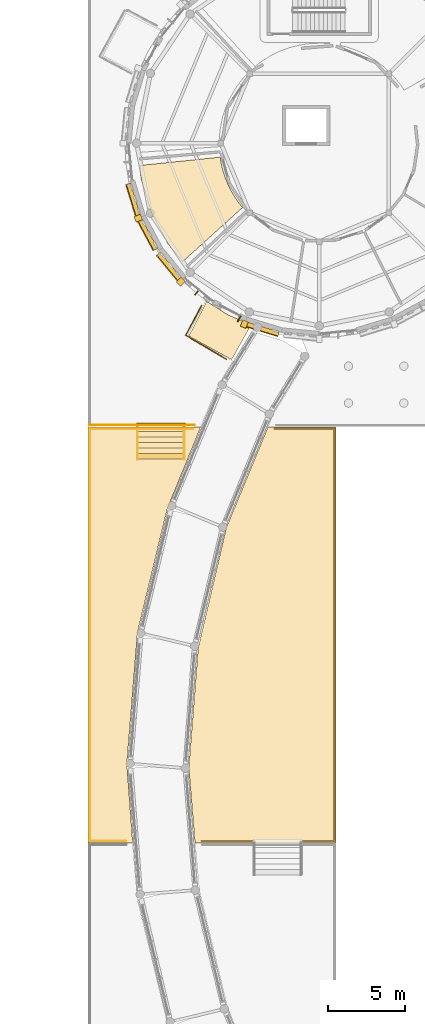
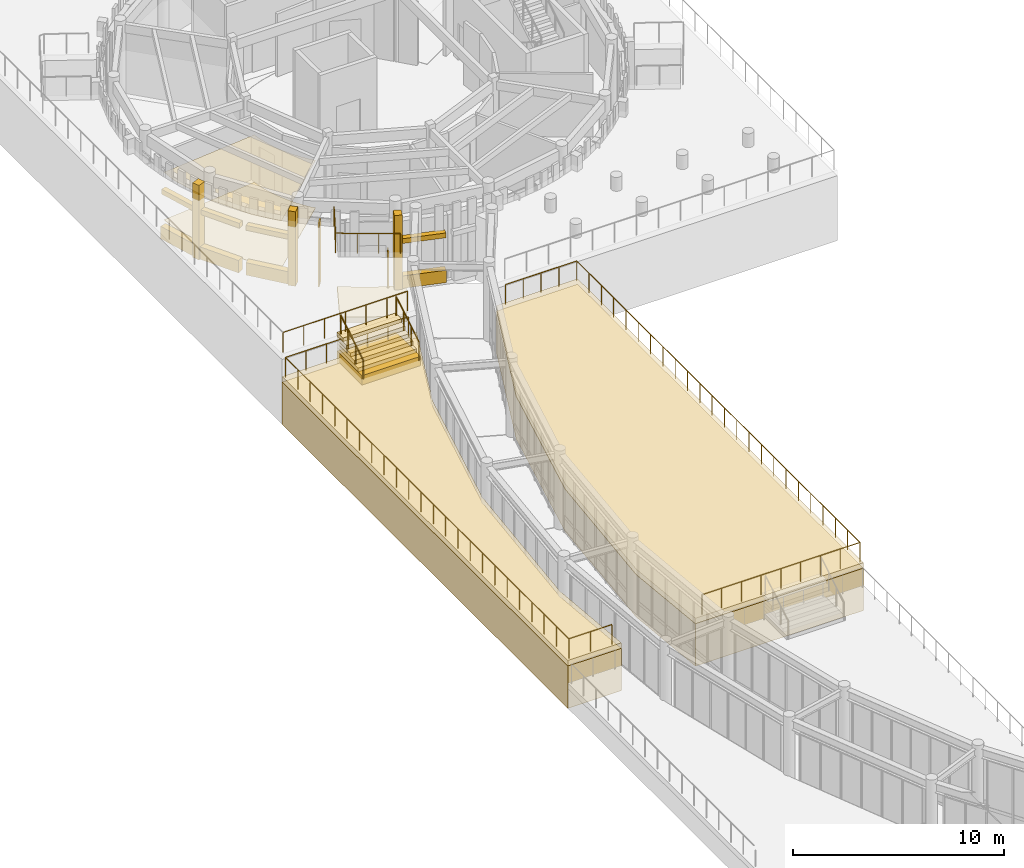
# One storey, part 90 of 94: 24 coverings, 7 railings, 2 shading devices.
"""IFC4 building model written with IfcOpenShell, lengths in metres."""

from ifc_helpers import new_model, si_unit, direction, frame, origin, origin_2d, place, context, subcontext, project, spatial, polyline, rectangle, circle, outline, extrude, material, layer, layer_set, type_object, element, save


model = new_model("IFC4")

# Units and contexts
model_context = context("Model", 3, precision=1e-05, world=origin(), true_north=direction((0.0, 1.0)))
body_context = subcontext(model_context, "Body", "Model", "MODEL_VIEW")
ifc_project = project(units=[si_unit("LENGTHUNIT", "METRE"), si_unit("AREAUNIT", "SQUARE_METRE"), si_unit("VOLUMEUNIT", "CUBIC_METRE"), si_unit("PLANEANGLEUNIT", "RADIAN"), si_unit("MASSUNIT", "GRAM", prefix="KILO")], contexts=[model_context])

# Site, building, storey
site_placement = place(None, origin())
site = spatial("IfcSite", under=ifc_project, at=site_placement, CompositionType="ELEMENT")
building_placement = place(site_placement, origin())
building = spatial("IfcBuilding", under=site, at=building_placement, Name="Aldenvaro Health Centre", CompositionType="ELEMENT")
storey_placement = place(building_placement, origin())
storey = spatial("IfcBuildingStorey", under=building, at=storey_placement, Name="L00", CompositionType="ELEMENT", Elevation=0.0)

# Coverings
ifc_material_1 = material(Name="Antimicrobial Mineral Fibre Ceiling")
ifc_layer_1 = layer(ifc_material_1, 0.01806640625, Name="Antimicrobial Mineral Fibre Ceiling")
ifc_layer_set_1 = layer_set([ifc_layer_1], Name="Antimicrobial Mineral Fibre Ceiling")
covering_type_1 = type_object("IfcCoveringType", Name="COV-CLG-ACT18", PredefinedType="CEILING", material=ifc_layer_set_1)
covering_1_placement = place(storey_placement, frame((0.0, 0.0, 2.75)))
element("IfcCovering", 1, at=covering_1_placement, inside=storey, type_object=covering_type_1, Name="D2-L00-R04 Suspended Ceiling", PredefinedType="CEILING", context=body_context, shape_type="SweptSolid", body=[
    extrude(outline(polyline([(148.095947265625, 98.3310546875), (148.09912109375, 98.31298828125), (148.2080078125, 97.830078125), (148.212890625, 97.81103515625), (148.35888671875, 97.339111328125), (148.365966796875, 97.321044921875), (148.549072265625, 96.861083984375), (148.556884765625, 96.843994140625), (148.77587890625, 96.39990234375), (148.784912109375, 96.383056640625), (149.0380859375, 95.9580078125), (149.049072265625, 95.94189453125), (149.3349609375, 95.5380859375), (149.345947265625, 95.52294921875), (149.51611328125, 95.320068359375), (145.611083984375, 91.7919921875), (144.673095703125, 92.93408203125), (143.5810546875, 94.97705078125), (142.907958984375, 97.195068359375), (142.823974609375, 98.052001953125), (148.05810546875, 98.593017578125), (148.095947265625, 98.3310546875)])), origin(), (0.0, 0.0, 1.0), 0.01806640625),
])
ifc_material_2 = material(Name="Honed Sonoran Buff Limestone", Category="masonry")
ifc_layer_2 = layer(ifc_material_2, 0.280029296875, Name="Honed Sonoran Buff Limestone", Category="masonry")
ifc_layer_set_2 = layer_set([ifc_layer_2], Name="Honed Sonoran Buff Limestone")
covering_type_2 = type_object("IfcCoveringType", Name="COV-CRN-STN", PredefinedType="CLADDING", material=ifc_layer_set_2)
covering_2_placement = place(storey_placement, frame((150.823974609375, 87.3798828125, 0.0), z_axis=(0.0, 0.0, 1.0), x_axis=(-0.956892827403, 0.290441245116, 0.0)))
element("IfcCovering", 2, at=covering_2_placement, inside=storey, type_object=covering_type_2, Name="D2 L00 Rusticated Limestone Plinth 10.1", PredefinedType="CLADDING", context=body_context, shape_type="SweptSolid", body=[
    extrude(rectangle(XDim=2.15087890625, YDim=0.340087890625, at=origin_2d()), origin(), (0.0, 0.0, 1.0), 0.719970703125),
])
covering_3_placement = place(storey_placement, frame((150.83203125, 87.408935546875, 2.5498046875), z_axis=(0.0, 0.0, 1.0), x_axis=(-0.956892827403, 0.290441245116, 0.0)))
element("IfcCovering", 3, at=covering_3_placement, inside=storey, type_object=covering_type_2, Name="D2 L00 Rusticated Limestone Plinth 10.2", PredefinedType="CLADDING", context=body_context, shape_type="SweptSolid", body=[
    extrude(rectangle(XDim=2.15087890625, YDim=0.280029296875, at=origin_2d()), origin(), (0.0, 0.0, 1.0), 0.280029296875),
])
covering_4_placement = place(storey_placement, frame((149.625, 87.72998046875, -0.00048828125), z_axis=(0.0, 0.0, 1.0), x_axis=(-0.382667560743, -0.923886106593, 0.0)))
element("IfcCovering", 4, at=covering_4_placement, inside=storey, type_object=covering_type_2, Name="D2 L00 Engaged Classical Limestone Pilaster 06", PredefinedType="CLADDING", context=body_context, shape_type="SweptSolid", body=[
    extrude(rectangle(XDim=0.43994140625, YDim=0.3798828125, at=origin_2d()), origin(), (0.0, 0.0, 1.0), 4.304931640625),
])
covering_5_placement = place(storey_placement, frame((144.7099609375, 91.465087890625, 0.0), z_axis=(0.0, 0.0, 1.0), x_axis=(-0.634379653268, 0.773021639749, 0.0)))
element("IfcCovering", 5, at=covering_5_placement, inside=storey, type_object=covering_type_2, Name="D2 L00 Rusticated Limestone Plinth 13.1", PredefinedType="CLADDING", context=body_context, shape_type="SweptSolid", body=[
    extrude(rectangle(XDim=2.15087890625, YDim=0.340087890625, at=origin_2d()), origin(), (0.0, 0.0, 1.0), 0.719970703125),
])
covering_6_placement = place(storey_placement, frame((144.73291015625, 91.48388671875, 2.5498046875), z_axis=(0.0, 0.0, 1.0), x_axis=(-0.634379653268, 0.773021639749, 0.0)))
element("IfcCovering", 6, at=covering_6_placement, inside=storey, type_object=covering_type_2, Name="D2 L00 Rusticated Limestone Plinth 13.2", PredefinedType="CLADDING", context=body_context, shape_type="SweptSolid", body=[
    extrude(rectangle(XDim=2.15087890625, YDim=0.280029296875, at=origin_2d()), origin(), (0.0, 0.0, 1.0), 0.280029296875),
])
covering_7_placement = place(storey_placement, frame((145.490966796875, 90.490966796875, -0.00048828125), z_axis=(0.0, 0.0, 1.0), x_axis=(-0.707106781187, -0.707106781187, 0.0)))
element("IfcCovering", 7, at=covering_7_placement, inside=storey, type_object=covering_type_2, Name="D2 L00 Engaged Classical Limestone Pilaster 07", PredefinedType="CLADDING", context=body_context, shape_type="SweptSolid", body=[
    extrude(rectangle(XDim=0.43994140625, YDim=0.3798828125, at=origin_2d()), origin(), (0.0, 0.0, 1.0), 4.304931640625),
])
covering_8_placement = place(storey_placement, frame((143.330078125, 93.530029296875, 0.0), z_axis=(0.0, 0.0, 1.0), x_axis=(-0.471399336159, 0.881919874971, 0.0)))
element("IfcCovering", 8, at=covering_8_placement, inside=storey, type_object=covering_type_2, Name="D2 L00 Rusticated Limestone Plinth 14.1", PredefinedType="CLADDING", context=body_context, shape_type="SweptSolid", body=[
    extrude(rectangle(XDim=2.15087890625, YDim=0.340087890625, at=origin_2d()), origin(), (0.0, 0.0, 1.0), 0.719970703125),
])
covering_9_placement = place(storey_placement, frame((143.35693359375, 93.5439453125, 2.5498046875), z_axis=(0.0, 0.0, 1.0), x_axis=(-0.471399336159, 0.881919874971, 0.0)))
element("IfcCovering", 9, at=covering_9_placement, inside=storey, type_object=covering_type_2, Name="D2 L00 Rusticated Limestone Plinth 14.2", PredefinedType="CLADDING", context=body_context, shape_type="SweptSolid", body=[
    extrude(rectangle(XDim=2.15087890625, YDim=0.280029296875, at=origin_2d()), origin(), (0.0, 0.0, 1.0), 0.280029296875),
])
covering_10_placement = place(storey_placement, frame((142.3798828125, 95.823974609375, 0.0), z_axis=(0.0, 0.0, 1.0), x_axis=(-0.290441245116, 0.956892827403, 0.0)))
element("IfcCovering", 10, at=covering_10_placement, inside=storey, type_object=covering_type_2, Name="D2 L00 Rusticated Limestone Plinth 15.1", PredefinedType="CLADDING", context=body_context, shape_type="SweptSolid", body=[
    extrude(rectangle(XDim=2.15087890625, YDim=0.340087890625, at=origin_2d()), origin(), (0.0, 0.0, 1.0), 0.719970703125),
])
covering_11_placement = place(storey_placement, frame((142.408935546875, 95.83203125, 2.5498046875), z_axis=(0.0, 0.0, 1.0), x_axis=(-0.290441245116, 0.956892827403, 0.0)))
element("IfcCovering", 11, at=covering_11_placement, inside=storey, type_object=covering_type_2, Name="D2 L00 Rusticated Limestone Plinth 15.2", PredefinedType="CLADDING", context=body_context, shape_type="SweptSolid", body=[
    extrude(rectangle(XDim=2.15087890625, YDim=0.280029296875, at=origin_2d()), origin(), (0.0, 0.0, 1.0), 0.280029296875),
])
covering_12_placement = place(storey_placement, frame((142.72998046875, 94.625, -0.00048828125), z_axis=(0.0, 0.0, 1.0), x_axis=(-0.923886106593, -0.382667560743, 0.0)))
element("IfcCovering", 12, at=covering_12_placement, inside=storey, type_object=covering_type_2, Name="D2 L00 Engaged Classical Limestone Pilaster 08", PredefinedType="CLADDING", context=body_context, shape_type="SweptSolid", body=[
    extrude(rectangle(XDim=0.43994140625, YDim=0.3798828125, at=origin_2d()), origin(), (0.0, 0.0, 1.0), 4.304931640625),
])
covering_13_placement = place(storey_placement, frame((0.0, 0.0, -0.320068359375)))
element("IfcCovering", 13, at=covering_13_placement, inside=storey, type_object=covering_type_2, Name="Middle Foothill Wing and Upper Garden Belvedere Terrace Rusticated Foothill Stone Plinth 1", PredefinedType="CLADDING", context=body_context, shape_type="SweptSolid", body=[
    extrude(outline(polyline([(146.632080078125, 66.697998046875), (148.458984375, 74.5048828125), (151.1689453125, 81.050048828125), (155.60009765625, 81.050048828125), (155.60009765625, 54.0), (146.419921875, 54.0), (146.01904296875, 58.903076171875), (146.632080078125, 66.697998046875)])), origin(), (0.0, 0.0, 1.0), 2.449951171875),
])
covering_14_placement = place(storey_placement, frame((0.0, 0.0, -0.320068359375)))
element("IfcCovering", 14, at=covering_14_placement, inside=storey, type_object=covering_type_2, Name="Middle Foothill Wing and Upper Garden Belvedere Terrace Rusticated Foothill Stone Plinth 2", PredefinedType="CLADDING", context=body_context, shape_type="SweptSolid", body=[
    extrude(outline(polyline([(139.449951171875, 81.050048828125), (146.7958984375, 81.050048828125), (144.60595703125, 75.697021484375), (142.680908203125, 67.68310546875), (141.986083984375, 59.156982421875), (142.366943359375, 54.0), (139.449951171875, 54.0), (139.449951171875, 81.050048828125)])), origin(), (0.0, 0.0, 1.0), 2.449951171875),
])
covering_15_placement = place(storey_placement, frame((0.0, 0.0, -0.320068359375)))
element("IfcCovering", 15, at=covering_15_placement, inside=storey, type_object=covering_type_2, Name="Classical Terrace Grand Stair GST-E2 Solid Stone Carriage", PredefinedType="CLADDING", context=body_context, shape_type="SweptSolid", body=[
    extrude(outline(polyline([(142.60009765625, 78.949951171875), (145.800048828125, 78.949951171875), (145.800048828125, 81.31005859375), (142.60009765625, 81.31005859375), (142.60009765625, 78.949951171875)])), origin(), (0.0, 0.0, 1.0), 2.987060546875),
])
ifc_material_3 = material(Name="Polished Epoxy Terrazzo Flooring")
ifc_layer_3 = layer(ifc_material_3, 0.02197265625, Name="Polished Epoxy Terrazzo Flooring")
ifc_layer_set_3 = layer_set([ifc_layer_3], Name="Polished Epoxy Terrazzo Flooring")
covering_type_3 = type_object("IfcCoveringType", Name="COV-FLR-TER22", PredefinedType="FLOORING", material=ifc_layer_set_3)
covering_16_placement = place(storey_placement, origin())
element("IfcCovering", 16, at=covering_16_placement, inside=storey, type_object=covering_type_3, Name="D2-L00-R04 Flooring", PredefinedType="FLOORING", context=body_context, shape_type="SweptSolid", body=[
    extrude(outline(polyline([(148.095947265625, 98.3310546875), (148.09912109375, 98.31298828125), (148.2080078125, 97.830078125), (148.212890625, 97.81103515625), (148.35888671875, 97.339111328125), (148.365966796875, 97.321044921875), (148.549072265625, 96.861083984375), (148.556884765625, 96.843994140625), (148.77587890625, 96.39990234375), (148.784912109375, 96.383056640625), (149.0380859375, 95.9580078125), (149.049072265625, 95.94189453125), (149.3349609375, 95.5380859375), (149.345947265625, 95.52294921875), (149.51611328125, 95.320068359375), (145.611083984375, 91.7919921875), (144.673095703125, 92.93408203125), (143.5810546875, 94.97705078125), (142.907958984375, 97.195068359375), (142.823974609375, 98.052001953125), (148.05810546875, 98.593017578125), (148.095947265625, 98.3310546875)])), origin(), (0.0, 0.0, 1.0), 0.02197265625),
])
ifc_material_4 = material(Name="Honed Sonoran Buff Travertine", Category="masonry")
ifc_layer_4 = layer(ifc_material_4, 0.320068359375, Name="Honed Sonoran Buff Travertine", Category="masonry")
ifc_layer_set_4 = layer_set([ifc_layer_4], Name="Honed Sonoran Buff Travertine")
covering_type_4 = type_object("IfcCoveringType", Name="COV-POD-320", PredefinedType="FLOORING", material=ifc_layer_set_4)
covering_17_placement = place(storey_placement, frame((0.0, 0.0, -0.320068359375)))
element("IfcCovering", 17, at=covering_17_placement, inside=storey, type_object=covering_type_4, Name="South Street Entrance Stylobate Forecourt Section 22", PredefinedType="FLOORING", context=body_context, shape_type="SweptSolid", body=[
    extrude(outline(polyline([(150.06298828125, 87.678955078125), (148.80810546875, 85.422119140625), (146.012939453125, 86.952880859375), (147.176025390625, 89.214111328125), (148.5419921875, 88.35302734375), (150.06298828125, 87.678955078125)])), origin(), (0.0, 0.0, 1.0), 0.320068359375),
])
covering_18_placement = place(storey_placement, frame((0.0, 0.0, 2.1298828125)))
element("IfcCovering", 18, at=covering_18_placement, inside=storey, type_object=covering_type_4, Name="Middle Foothill Wing and Upper Garden Belvedere Terrace Coping Deck 1", PredefinedType="FLOORING", context=body_context, shape_type="SweptSolid", body=[
    extrude(outline(polyline([(146.632080078125, 66.697998046875), (148.458984375, 74.5048828125), (151.1689453125, 81.050048828125), (155.60009765625, 81.050048828125), (155.60009765625, 54.0), (146.419921875, 54.0), (146.01904296875, 58.903076171875), (146.632080078125, 66.697998046875)])), origin(), (0.0, 0.0, 1.0), 0.320068359375),
])
covering_19_placement = place(storey_placement, frame((0.0, 0.0, 2.1298828125)))
element("IfcCovering", 19, at=covering_19_placement, inside=storey, type_object=covering_type_4, Name="Middle Foothill Wing and Upper Garden Belvedere Terrace Coping Deck 2", PredefinedType="FLOORING", context=body_context, shape_type="SweptSolid", body=[
    extrude(outline(polyline([(139.449951171875, 81.050048828125), (146.7958984375, 81.050048828125), (144.60595703125, 75.697021484375), (142.680908203125, 67.68310546875), (141.986083984375, 59.156982421875), (142.366943359375, 54.0), (139.449951171875, 54.0), (139.449951171875, 81.050048828125)])), origin(), (0.0, 0.0, 1.0), 0.320068359375),
])
covering_20_placement = place(storey_placement, frame((0.0, 0.0, 2.6669921875)))
element("IfcCovering", 20, at=covering_20_placement, inside=storey, type_object=covering_type_4, Name="Classical Terrace Grand Stair GST-E2 Stone Step 2", PredefinedType="FLOORING", context=body_context, shape_type="SweptSolid", body=[
    extrude(outline(polyline([(142.60009765625, 79.31005859375), (145.800048828125, 79.31005859375), (145.800048828125, 81.31005859375), (142.60009765625, 81.31005859375), (142.60009765625, 79.31005859375)])), origin(), (0.0, 0.0, 1.0), 0.216064453125),
])
covering_21_placement = place(storey_placement, frame((0.0, 0.0, 2.883056640625)))
element("IfcCovering", 21, at=covering_21_placement, inside=storey, type_object=covering_type_4, Name="Classical Terrace Grand Stair GST-E2 Stone Step 3", PredefinedType="FLOORING", context=body_context, shape_type="SweptSolid", body=[
    extrude(outline(polyline([(142.60009765625, 79.669921875), (145.800048828125, 79.669921875), (145.800048828125, 81.31005859375), (142.60009765625, 81.31005859375), (142.60009765625, 79.669921875)])), origin(), (0.0, 0.0, 1.0), 0.217041015625),
])
covering_22_placement = place(storey_placement, frame((0.0, 0.0, 3.10009765625)))
element("IfcCovering", 22, at=covering_22_placement, inside=storey, type_object=covering_type_4, Name="Classical Terrace Grand Stair GST-E2 Stone Step 4", PredefinedType="FLOORING", context=body_context, shape_type="SweptSolid", body=[
    extrude(outline(polyline([(142.60009765625, 80.030029296875), (145.800048828125, 80.030029296875), (145.800048828125, 81.31005859375), (142.60009765625, 81.31005859375), (142.60009765625, 80.030029296875)])), origin(), (0.0, 0.0, 1.0), 0.216796875),
])
covering_23_placement = place(storey_placement, frame((0.0, 0.0, 3.31689453125)))
element("IfcCovering", 23, at=covering_23_placement, inside=storey, type_object=covering_type_4, Name="Classical Terrace Grand Stair GST-E2 Stone Step 5", PredefinedType="FLOORING", context=body_context, shape_type="SweptSolid", body=[
    extrude(outline(polyline([(142.60009765625, 80.389892578125), (145.800048828125, 80.389892578125), (145.800048828125, 81.31005859375), (142.60009765625, 81.31005859375), (142.60009765625, 80.389892578125)])), origin(), (0.0, 0.0, 1.0), 0.216064453125),
])
covering_24_placement = place(storey_placement, frame((0.0, 0.0, 3.532958984375)))
element("IfcCovering", 24, at=covering_24_placement, inside=storey, type_object=covering_type_4, Name="Classical Terrace Grand Stair GST-E2 Stone Step 6", PredefinedType="FLOORING", context=body_context, shape_type="SweptSolid", body=[
    extrude(outline(polyline([(142.60009765625, 80.75), (145.800048828125, 80.75), (145.800048828125, 81.31005859375), (142.60009765625, 81.31005859375), (142.60009765625, 80.75)])), origin(), (0.0, 0.0, 1.0), 0.217041015625),
])

# Railings
ifc_material_5 = material(Name="Painted Architectural Steel", Category="steel")
railing_type_1 = type_object("IfcRailingType", Name="RL-BAL-110", PredefinedType="GUARDRAIL", material=ifc_material_5)
for number, where, name in (
    (25, (142.679931640625, 78.949951171875, 2.449951171875), "Classical Terrace Grand Stair GST-E2 Balustrade W"),
    (26, (145.719970703125, 78.949951171875, 2.449951171875), "Classical Terrace Grand Stair GST-E2 Balustrade E"),
):
    element("IfcRailing", number, at=place(storey_placement, frame(where)), inside=storey, type_object=railing_type_1, Name=name, PredefinedType="GUARDRAIL", context=body_context, shape_type="SweptSolid", body=[
        extrude(circle(Radius=0.02392578125, at=origin_2d()), frame((0.0, 0.0, 1.076171875), z_axis=(0.0, 0.856800061236, 0.515648771031), x_axis=(-1.0, 0.0, 0.0)), (0.0, 0.0, 1.0), 2.521240234375),
        extrude(circle(Radius=0.02099609375, at=origin_2d()), origin(), (0.0, 0.0, 1.0), 1.052001953125),
        extrude(circle(Radius=0.02099609375, at=origin_2d()), frame((0.0, 0.719970703125, 0.433349609375)), (0.0, 0.0, 1.0), 1.052001953125),
        extrude(circle(Radius=0.02099609375, at=origin_2d()), frame((0.0, 1.440185546875, 0.86669921875)), (0.0, 0.0, 1.0), 1.052001953125),
        extrude(circle(Radius=0.02099609375, at=origin_2d()), frame((0.0, 2.16015625, 1.300048828125)), (0.0, 0.0, 1.0), 1.052001953125),
    ])
railing_type_2 = type_object("IfcRailingType", Name="RL-BAL-115", PredefinedType="GUARDRAIL", material=ifc_material_5)
railing_1_placement = place(storey_placement, frame((151.5849609375, 80.929931640625, 2.449951171875)))
element("IfcRailing", 27, at=railing_1_placement, inside=storey, type_object=railing_type_2, Name="Middle Foothill Wing and Upper Garden Belvedere Terrace Classical Balustrade 14", PredefinedType="GUARDRAIL", context=body_context, shape_type="SweptSolid", body=[
    extrude(circle(Radius=0.02392578125, at=origin_2d()), frame((0.0, 0.0, 1.1357421875), z_axis=(1.0, 0.0, 0.0), x_axis=(0.0, 1.0, 0.0)), (0.0, 0.0, 1.0), 3.89501953125),
    extrude(circle(Radius=0.02392578125, at=origin_2d()), frame((3.89501953125, 0.0, 1.1357421875), z_axis=(0.0, -1.0, 0.0), x_axis=(1.0, 0.0, 0.0)), (0.0, 0.0, 1.0), 26.809814453125),
    extrude(circle(Radius=0.02392578125, at=origin_2d()), frame((3.89501953125, -26.809814453125, 1.1357421875), z_axis=(-1.0, 0.0, 0.0), x_axis=(0.0, -1.0, 0.0)), (0.0, 0.0, 1.0), 8.637939453125),
    extrude(circle(Radius=0.02099609375, at=origin_2d()), origin(), (0.0, 0.0, 1.0), 1.11181640625),
    extrude(circle(Radius=0.02099609375, at=origin_2d()), frame((0.9736328125, 0.0, 0.0)), (0.0, 0.0, 1.0), 1.11181640625),
    extrude(circle(Radius=0.02099609375, at=origin_2d()), frame((1.947509765625, 0.0, 0.0)), (0.0, 0.0, 1.0), 1.11181640625),
    extrude(circle(Radius=0.02099609375, at=origin_2d()), frame((2.92138671875, 0.0, 0.0)), (0.0, 0.0, 1.0), 1.11181640625),
    extrude(circle(Radius=0.02099609375, at=origin_2d()), frame((3.89501953125, 0.0, 0.0)), (0.0, 0.0, 1.0), 1.11181640625),
    extrude(circle(Radius=0.02099609375, at=origin_2d()), frame((3.89501953125, -1.16552734375, 0.0)), (0.0, 0.0, 1.0), 1.11181640625),
    extrude(circle(Radius=0.02099609375, at=origin_2d()), frame((3.89501953125, -2.331298828125, 0.0)), (0.0, 0.0, 1.0), 1.11181640625),
    extrude(circle(Radius=0.02099609375, at=origin_2d()), frame((3.89501953125, -3.496826171875, 0.0)), (0.0, 0.0, 1.0), 1.11181640625),
    extrude(circle(Radius=0.02099609375, at=origin_2d()), frame((3.89501953125, -4.66259765625, 0.0)), (0.0, 0.0, 1.0), 1.11181640625),
    extrude(circle(Radius=0.02099609375, at=origin_2d()), frame((3.89501953125, -5.828125, 0.0)), (0.0, 0.0, 1.0), 1.11181640625),
    extrude(circle(Radius=0.02099609375, at=origin_2d()), frame((3.89501953125, -6.993896484375, 0.0)), (0.0, 0.0, 1.0), 1.11181640625),
    extrude(circle(Radius=0.02099609375, at=origin_2d()), frame((3.89501953125, -8.159423828125, 0.0)), (0.0, 0.0, 1.0), 1.11181640625),
    extrude(circle(Radius=0.02099609375, at=origin_2d()), frame((3.89501953125, -9.3251953125, 0.0)), (0.0, 0.0, 1.0), 1.11181640625),
    extrude(circle(Radius=0.02099609375, at=origin_2d()), frame((3.89501953125, -10.49072265625, 0.0)), (0.0, 0.0, 1.0), 1.11181640625),
    extrude(circle(Radius=0.02099609375, at=origin_2d()), frame((3.89501953125, -11.656494140625, 0.0)), (0.0, 0.0, 1.0), 1.11181640625),
    extrude(circle(Radius=0.02099609375, at=origin_2d()), frame((3.89501953125, -12.822021484375, 0.0)), (0.0, 0.0, 1.0), 1.11181640625),
    extrude(circle(Radius=0.02099609375, at=origin_2d()), frame((3.89501953125, -13.98779296875, 0.0)), (0.0, 0.0, 1.0), 1.11181640625),
    extrude(circle(Radius=0.02099609375, at=origin_2d()), frame((3.89501953125, -15.1533203125, 0.0)), (0.0, 0.0, 1.0), 1.11181640625),
    extrude(circle(Radius=0.02099609375, at=origin_2d()), frame((3.89501953125, -16.319091796875, 0.0)), (0.0, 0.0, 1.0), 1.11181640625),
    extrude(circle(Radius=0.02099609375, at=origin_2d()), frame((3.89501953125, -17.484619140625, 0.0)), (0.0, 0.0, 1.0), 1.11181640625),
    extrude(circle(Radius=0.02099609375, at=origin_2d()), frame((3.89501953125, -18.650390625, 0.0)), (0.0, 0.0, 1.0), 1.11181640625),
    extrude(circle(Radius=0.02099609375, at=origin_2d()), frame((3.89501953125, -19.81591796875, 0.0)), (0.0, 0.0, 1.0), 1.11181640625),
    extrude(circle(Radius=0.02099609375, at=origin_2d()), frame((3.89501953125, -20.981689453125, 0.0)), (0.0, 0.0, 1.0), 1.11181640625),
    extrude(circle(Radius=0.02099609375, at=origin_2d()), frame((3.89501953125, -22.147216796875, 0.0)), (0.0, 0.0, 1.0), 1.11181640625),
    extrude(circle(Radius=0.02099609375, at=origin_2d()), frame((3.89501953125, -23.31298828125, 0.0)), (0.0, 0.0, 1.0), 1.11181640625),
    extrude(circle(Radius=0.02099609375, at=origin_2d()), frame((3.89501953125, -24.478515625, 0.0)), (0.0, 0.0, 1.0), 1.11181640625),
    extrude(circle(Radius=0.02099609375, at=origin_2d()), frame((3.89501953125, -25.644287109375, 0.0)), (0.0, 0.0, 1.0), 1.11181640625),
    extrude(circle(Radius=0.02099609375, at=origin_2d()), frame((3.89501953125, -26.809814453125, 0.0)), (0.0, 0.0, 1.0), 1.11181640625),
    extrude(circle(Radius=0.02099609375, at=origin_2d()), frame((2.815185546875, -26.809814453125, 0.0)), (0.0, 0.0, 1.0), 1.11181640625),
    extrude(circle(Radius=0.02099609375, at=origin_2d()), frame((1.735595703125, -26.809814453125, 0.0)), (0.0, 0.0, 1.0), 1.11181640625),
    extrude(circle(Radius=0.02099609375, at=origin_2d()), frame((0.65576171875, -26.809814453125, 0.0)), (0.0, 0.0, 1.0), 1.11181640625),
    extrude(circle(Radius=0.02099609375, at=origin_2d()), frame((-0.423828125, -26.809814453125, 0.0)), (0.0, 0.0, 1.0), 1.11181640625),
    extrude(circle(Radius=0.02099609375, at=origin_2d()), frame((-1.503662109375, -26.809814453125, 0.0)), (0.0, 0.0, 1.0), 1.11181640625),
    extrude(circle(Radius=0.02099609375, at=origin_2d()), frame((-2.58349609375, -26.809814453125, 0.0)), (0.0, 0.0, 1.0), 1.11181640625),
    extrude(circle(Radius=0.02099609375, at=origin_2d()), frame((-3.6630859375, -26.809814453125, 0.0)), (0.0, 0.0, 1.0), 1.11181640625),
    extrude(circle(Radius=0.02099609375, at=origin_2d()), frame((-4.742919921875, -26.809814453125, 0.0)), (0.0, 0.0, 1.0), 1.11181640625),
])
railing_2_placement = place(storey_placement, frame((139.570068359375, 80.929931640625, 2.449951171875)))
element("IfcRailing", 28, at=railing_2_placement, inside=storey, type_object=railing_type_2, Name="Middle Foothill Wing and Upper Garden Belvedere Terrace Classical Balustrade 15", PredefinedType="GUARDRAIL", context=body_context, shape_type="SweptSolid", body=[
    extrude(circle(Radius=0.02392578125, at=origin_2d()), frame((0.0, 0.0, 1.1357421875), z_axis=(1.0, 0.0, 0.0), x_axis=(0.0, 1.0, 0.0)), (0.0, 0.0, 1.0), 6.7109375),
    extrude(circle(Radius=0.02099609375, at=origin_2d()), origin(), (0.0, 0.0, 1.0), 1.11181640625),
    extrude(circle(Radius=0.02099609375, at=origin_2d()), frame((1.118408203125, 0.0, 0.0)), (0.0, 0.0, 1.0), 1.11181640625),
    extrude(circle(Radius=0.02099609375, at=origin_2d()), frame((2.237060546875, 0.0, 0.0)), (0.0, 0.0, 1.0), 1.11181640625),
    extrude(circle(Radius=0.02099609375, at=origin_2d()), frame((3.35546875, 0.0, 0.0)), (0.0, 0.0, 1.0), 1.11181640625),
    extrude(circle(Radius=0.02099609375, at=origin_2d()), frame((4.473876953125, 0.0, 0.0)), (0.0, 0.0, 1.0), 1.11181640625),
    extrude(circle(Radius=0.02099609375, at=origin_2d()), frame((5.592529296875, 0.0, 0.0)), (0.0, 0.0, 1.0), 1.11181640625),
    extrude(circle(Radius=0.02099609375, at=origin_2d()), frame((6.7109375, 0.0, 0.0)), (0.0, 0.0, 1.0), 1.11181640625),
])
railing_3_placement = place(storey_placement, frame((141.926025390625, 54.1201171875, 2.449951171875)))
element("IfcRailing", 29, at=railing_3_placement, inside=storey, type_object=railing_type_2, Name="Middle Foothill Wing and Upper Garden Belvedere Terrace Classical Balustrade 16", PredefinedType="GUARDRAIL", context=body_context, shape_type="SweptSolid", body=[
    extrude(circle(Radius=0.02392578125, at=origin_2d()), frame((0.0, 0.0, 1.1357421875), z_axis=(-1.0, 0.0, 0.0), x_axis=(0.0, -1.0, 0.0)), (0.0, 0.0, 1.0), 2.35595703125),
    extrude(circle(Radius=0.02392578125, at=origin_2d()), frame((-2.35595703125, 0.0, 1.1357421875), z_axis=(0.0, 1.0, 0.0), x_axis=(-1.0, 0.0, 0.0)), (0.0, 0.0, 1.0), 26.809814453125),
    extrude(circle(Radius=0.02099609375, at=origin_2d()), origin(), (0.0, 0.0, 1.0), 1.11181640625),
    extrude(circle(Radius=0.02099609375, at=origin_2d()), frame((-1.177978515625, 0.0, 0.0)), (0.0, 0.0, 1.0), 1.11181640625),
    extrude(circle(Radius=0.02099609375, at=origin_2d()), frame((-2.35595703125, 0.0, 0.0)), (0.0, 0.0, 1.0), 1.11181640625),
    extrude(circle(Radius=0.02099609375, at=origin_2d()), frame((-2.35595703125, 1.16552734375, 0.0)), (0.0, 0.0, 1.0), 1.11181640625),
    extrude(circle(Radius=0.02099609375, at=origin_2d()), frame((-2.35595703125, 2.331298828125, 0.0)), (0.0, 0.0, 1.0), 1.11181640625),
    extrude(circle(Radius=0.02099609375, at=origin_2d()), frame((-2.35595703125, 3.496826171875, 0.0)), (0.0, 0.0, 1.0), 1.11181640625),
    extrude(circle(Radius=0.02099609375, at=origin_2d()), frame((-2.35595703125, 4.66259765625, 0.0)), (0.0, 0.0, 1.0), 1.11181640625),
    extrude(circle(Radius=0.02099609375, at=origin_2d()), frame((-2.35595703125, 5.828125, 0.0)), (0.0, 0.0, 1.0), 1.11181640625),
    extrude(circle(Radius=0.02099609375, at=origin_2d()), frame((-2.35595703125, 6.993896484375, 0.0)), (0.0, 0.0, 1.0), 1.11181640625),
    extrude(circle(Radius=0.02099609375, at=origin_2d()), frame((-2.35595703125, 8.159423828125, 0.0)), (0.0, 0.0, 1.0), 1.11181640625),
    extrude(circle(Radius=0.02099609375, at=origin_2d()), frame((-2.35595703125, 9.3251953125, 0.0)), (0.0, 0.0, 1.0), 1.11181640625),
    extrude(circle(Radius=0.02099609375, at=origin_2d()), frame((-2.35595703125, 10.49072265625, 0.0)), (0.0, 0.0, 1.0), 1.11181640625),
    extrude(circle(Radius=0.02099609375, at=origin_2d()), frame((-2.35595703125, 11.656494140625, 0.0)), (0.0, 0.0, 1.0), 1.11181640625),
    extrude(circle(Radius=0.02099609375, at=origin_2d()), frame((-2.35595703125, 12.822021484375, 0.0)), (0.0, 0.0, 1.0), 1.11181640625),
    extrude(circle(Radius=0.02099609375, at=origin_2d()), frame((-2.35595703125, 13.98779296875, 0.0)), (0.0, 0.0, 1.0), 1.11181640625),
    extrude(circle(Radius=0.02099609375, at=origin_2d()), frame((-2.35595703125, 15.1533203125, 0.0)), (0.0, 0.0, 1.0), 1.11181640625),
    extrude(circle(Radius=0.02099609375, at=origin_2d()), frame((-2.35595703125, 16.319091796875, 0.0)), (0.0, 0.0, 1.0), 1.11181640625),
    extrude(circle(Radius=0.02099609375, at=origin_2d()), frame((-2.35595703125, 17.484619140625, 0.0)), (0.0, 0.0, 1.0), 1.11181640625),
    extrude(circle(Radius=0.02099609375, at=origin_2d()), frame((-2.35595703125, 18.650390625, 0.0)), (0.0, 0.0, 1.0), 1.11181640625),
    extrude(circle(Radius=0.02099609375, at=origin_2d()), frame((-2.35595703125, 19.81591796875, 0.0)), (0.0, 0.0, 1.0), 1.11181640625),
    extrude(circle(Radius=0.02099609375, at=origin_2d()), frame((-2.35595703125, 20.981689453125, 0.0)), (0.0, 0.0, 1.0), 1.11181640625),
    extrude(circle(Radius=0.02099609375, at=origin_2d()), frame((-2.35595703125, 22.147216796875, 0.0)), (0.0, 0.0, 1.0), 1.11181640625),
    extrude(circle(Radius=0.02099609375, at=origin_2d()), frame((-2.35595703125, 23.31298828125, 0.0)), (0.0, 0.0, 1.0), 1.11181640625),
    extrude(circle(Radius=0.02099609375, at=origin_2d()), frame((-2.35595703125, 24.478515625, 0.0)), (0.0, 0.0, 1.0), 1.11181640625),
    extrude(circle(Radius=0.02099609375, at=origin_2d()), frame((-2.35595703125, 25.644287109375, 0.0)), (0.0, 0.0, 1.0), 1.11181640625),
    extrude(circle(Radius=0.02099609375, at=origin_2d()), frame((-2.35595703125, 26.809814453125, 0.0)), (0.0, 0.0, 1.0), 1.11181640625),
])
railing_4_placement = place(storey_placement, frame((146.85107421875, 88.945068359375, 3.75)))
element("IfcRailing", 30, at=railing_4_placement, inside=storey, type_object=railing_type_2, Name="Upper North Foothill Acropolis Bastion Terrace Classical Balustrade 32", PredefinedType="GUARDRAIL", context=body_context, shape_type="SweptSolid", body=[
    extrude(circle(Radius=0.02392578125, at=origin_2d()), frame((0.0, 0.0, 1.1357421875), z_axis=(-0.471472907536, -0.881880546026, 0.0), x_axis=(0.881880546026, -0.471472907536, 0.0)), (0.0, 0.0, 1.0), 2.19091796875),
    extrude(circle(Radius=0.02392578125, at=origin_2d()), frame((-1.032958984375, -1.93212890625, 1.1357421875), z_axis=(0.860112759068, -0.510103951846, 0.0), x_axis=(0.510103951846, 0.860112759068, 0.0)), (0.0, 0.0, 1.0), 3.062255859375),
    extrude(circle(Radius=0.02099609375, at=origin_2d()), origin(), (0.0, 0.0, 1.0), 1.11181640625),
    extrude(circle(Radius=0.02099609375, at=origin_2d()), frame((-0.5166015625, -0.966064453125, 0.0)), (0.0, 0.0, 1.0), 1.11181640625),
    extrude(circle(Radius=0.02099609375, at=origin_2d()), frame((-1.032958984375, -1.93212890625, 0.0)), (0.0, 0.0, 1.0), 1.11181640625),
    extrude(circle(Radius=0.02099609375, at=origin_2d()), frame((-0.155029296875, -2.452880859375, 0.0)), (0.0, 0.0, 1.0), 1.11181640625),
    extrude(circle(Radius=0.02099609375, at=origin_2d()), frame((0.722900390625, -2.973388671875, 0.0)), (0.0, 0.0, 1.0), 1.11181640625),
    extrude(circle(Radius=0.02099609375, at=origin_2d()), frame((1.600830078125, -3.494140625, 0.0)), (0.0, 0.0, 1.0), 1.11181640625),
])
railing_5_placement = place(storey_placement, frame((146.381103515625, 81.169921875, 3.75)))
element("IfcRailing", 31, at=railing_5_placement, inside=storey, type_object=railing_type_2, Name="Upper North Foothill Acropolis Bastion Terrace Classical Balustrade 33", PredefinedType="GUARDRAIL", context=body_context, shape_type="SweptSolid", body=[
    extrude(circle(Radius=0.02392578125, at=origin_2d()), frame((0.0, 0.0, 1.1357421875), z_axis=(-1.0, 0.0, 0.0), x_axis=(0.0, -1.0, 0.0)), (0.0, 0.0, 1.0), 6.81103515625),
    extrude(circle(Radius=0.02099609375, at=origin_2d()), origin(), (0.0, 0.0, 1.0), 1.11181640625),
    extrude(circle(Radius=0.02099609375, at=origin_2d()), frame((-1.13525390625, 0.0, 0.0)), (0.0, 0.0, 1.0), 1.11181640625),
    extrude(circle(Radius=0.02099609375, at=origin_2d()), frame((-2.270263671875, 0.0, 0.0)), (0.0, 0.0, 1.0), 1.11181640625),
    extrude(circle(Radius=0.02099609375, at=origin_2d()), frame((-3.405517578125, 0.0, 0.0)), (0.0, 0.0, 1.0), 1.11181640625),
    extrude(circle(Radius=0.02099609375, at=origin_2d()), frame((-4.540771484375, 0.0, 0.0)), (0.0, 0.0, 1.0), 1.11181640625),
    extrude(circle(Radius=0.02099609375, at=origin_2d()), frame((-5.67578125, 0.0, 0.0)), (0.0, 0.0, 1.0), 1.11181640625),
    extrude(circle(Radius=0.02099609375, at=origin_2d()), frame((-6.81103515625, 0.0, 0.0)), (0.0, 0.0, 1.0), 1.11181640625),
])

# Shading devices
ifc_material_6 = material(Name="Douglas Fir Exterior Glulam GL28h", Category="wood")
shading_device_type_1 = type_object("IfcShadingDeviceType", Name="SHD-FIN-205", PredefinedType="USERDEFINED", material=ifc_material_6)
shading_device_1_placement = place(storey_placement, frame((149.302001953125, 88.087890625, -0.02001953125), z_axis=(0.0, 0.0, 1.0), x_axis=(-0.881919874971, 0.471399336159, 0.0)))
element("IfcShadingDevice", 32, at=shading_device_1_placement, inside=storey, type_object=shading_device_type_1, Name="D2 L00 Douglas fir fin 11.1", ObjectType="FIN", PredefinedType="USERDEFINED", context=body_context, shape_type="SweptSolid", body=[
    extrude(rectangle(XDim=0.06494140625, YDim=0.419921875, at=origin_2d()), origin(), (0.0, 0.0, 1.0), 2.050048828125),
])
shading_device_type_2 = type_object("IfcShadingDeviceType", Name="SHD-FIN-435", PredefinedType="USERDEFINED", material=ifc_material_6)
shading_device_2_placement = place(storey_placement, frame((146.5380859375, 89.799072265625, -0.0205078125), z_axis=(0.0, 0.0, 1.0), x_axis=(-0.773021639749, 0.634379653268, 0.0)))
element("IfcShadingDevice", 33, at=shading_device_2_placement, inside=storey, type_object=shading_device_type_2, Name="D2 L00 vertical timber fin 12.0", ObjectType="FIN", PredefinedType="USERDEFINED", context=body_context, shape_type="SweptSolid", body=[
    extrude(rectangle(XDim=0.06494140625, YDim=0.419921875, at=origin_2d()), origin(), (0.0, 0.0, 1.0), 3.698974609375),
])

save(model, "model.ifc")
